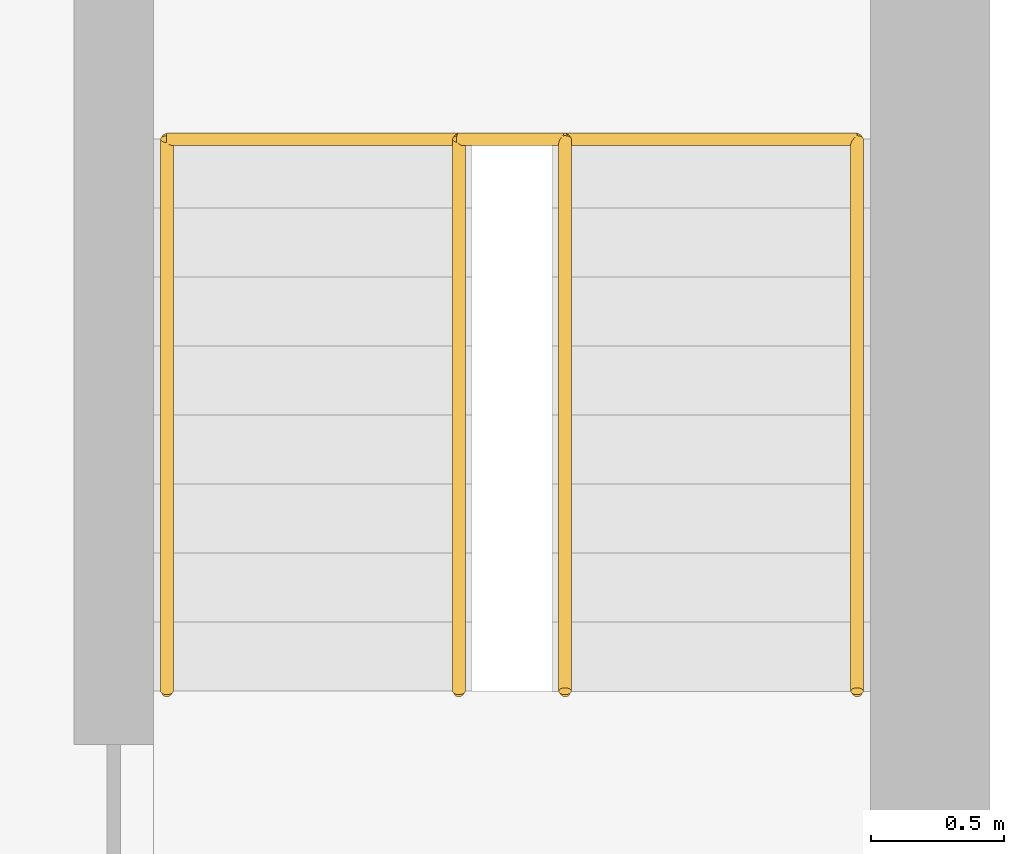
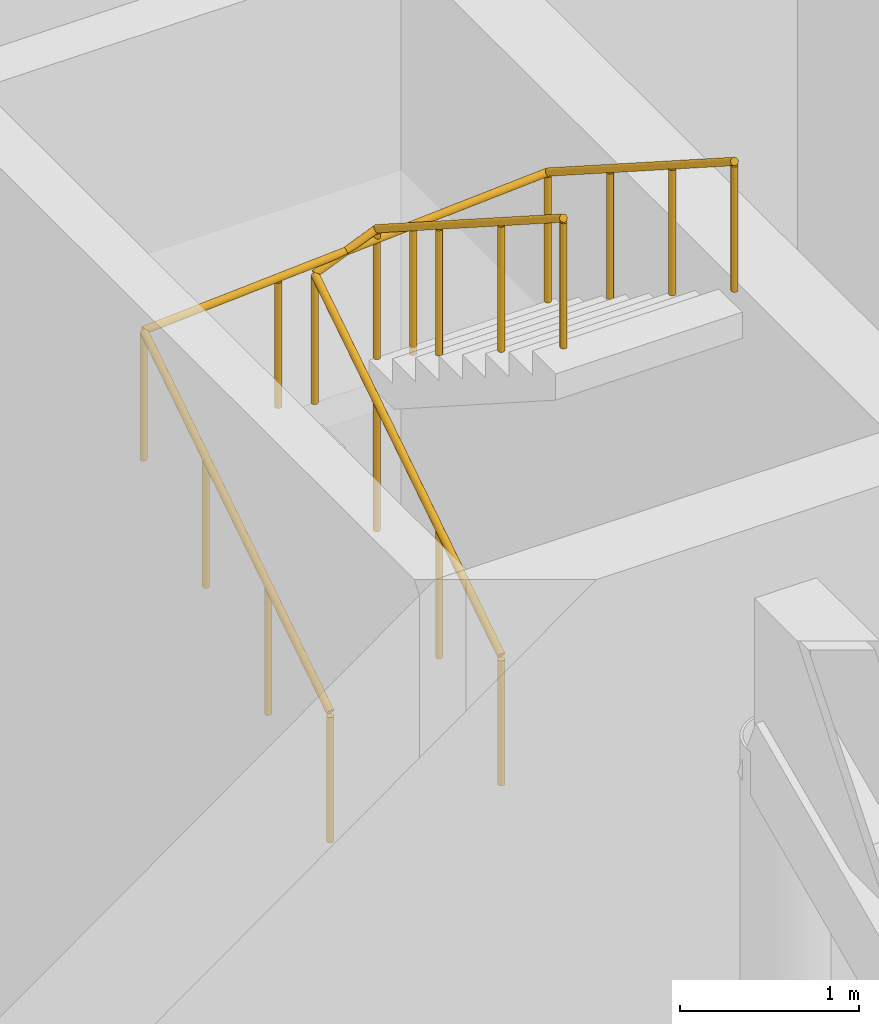
# One storey, part 19 of 20: 2 railings.
"""IFC4 building model written with IfcOpenShell, lengths in metres."""

from ifc_helpers import new_model, si_unit, direction, frame, origin, origin_2d, place, context, subcontext, project, spatial, circle, extrude, material, type_object, element, save


model = new_model("IFC4")

# Units and contexts
model_context = context("Model", 3, precision=1e-05, world=origin(), true_north=direction((0.0, 1.0)))
body_context = subcontext(model_context, "Body", "Model", "MODEL_VIEW")
ifc_project = project(units=[si_unit("LENGTHUNIT", "METRE"), si_unit("AREAUNIT", "SQUARE_METRE"), si_unit("VOLUMEUNIT", "CUBIC_METRE"), si_unit("PLANEANGLEUNIT", "RADIAN"), si_unit("MASSUNIT", "GRAM", prefix="KILO")], contexts=[model_context])

# Site, building, storey
site_placement = place(None, origin())
site = spatial("IfcSite", under=ifc_project, at=site_placement, CompositionType="ELEMENT")
building_placement = place(site_placement, origin())
building = spatial("IfcBuilding", under=site, at=building_placement, Name="Torana Hotel and Residences", CompositionType="ELEMENT")
storey_placement = place(building_placement, frame((0.0, 0.0, 177.60009765625)))
storey = spatial("IfcBuildingStorey", under=building, at=storey_placement, Name="L46", CompositionType="ELEMENT", Elevation=177.60009765625)

# Railings
ifc_material = material(Name="Stainless steel 316", Category="steel")
railing_type = type_object("IfcRailingType", Name="STAIR HANDRAIL HR1 900", PredefinedType="HANDRAIL", material=ifc_material)
railing_1_placement = place(storey_placement, frame((16.39990234375, -12.949951171875, 3.16650390625)))
element("IfcRailing", 1, at=railing_1_placement, inside=storey, type_object=railing_type, Name="Handrail ST4 L46 O2", PredefinedType="HANDRAIL", context=body_context, shape_type="SweptSolid", body=[
    extrude(circle(Radius=0.02392578125, at=origin_2d()), frame((0.0, 0.0, 0.8759765625), z_axis=(0.0, 0.841829634381, 0.539743334075), x_axis=(-1.0, 0.0, 0.0)), (0.0, 0.0, 1.0), 2.470703125),
    extrude(circle(Radius=0.02392578125, at=origin_2d()), frame((0.0, 2.079833984375, 2.20947265625), z_axis=(0.997955880303, 0.0, 0.06390665825), x_axis=(0.0, 1.0, 0.0)), (0.0, 0.0, 1.0), 2.60546875),
    extrude(circle(Radius=0.02392578125, at=origin_2d()), frame((2.60009765625, 2.079833984375, 2.3759765625), z_axis=(0.0, -0.841829634381, 0.539743334075), x_axis=(1.0, 0.0, 0.0)), (0.0, 0.0, 1.0), 2.470703125),
    extrude(circle(Radius=0.02099609375, at=origin_2d()), origin(), (0.0, 0.0, 1.0), 0.851806640625),
    extrude(circle(Radius=0.02099609375, at=origin_2d()), frame((0.0, 0.693359375, 0.444580078125)), (0.0, 0.0, 1.0), 0.851806640625),
    extrude(circle(Radius=0.02099609375, at=origin_2d()), frame((0.0, 1.386474609375, 0.888916015625)), (0.0, 0.0, 1.0), 0.851806640625),
    extrude(circle(Radius=0.02099609375, at=origin_2d()), frame((0.0, 2.079833984375, 1.33349609375)), (0.0, 0.0, 1.0), 0.851806640625),
    extrude(circle(Radius=0.02099609375, at=origin_2d()), frame((0.86669921875, 2.079833984375, 1.388916015625)), (0.0, 0.0, 1.0), 0.851806640625),
    extrude(circle(Radius=0.02099609375, at=origin_2d()), frame((1.7333984375, 2.079833984375, 1.444580078125)), (0.0, 0.0, 1.0), 0.851806640625),
    extrude(circle(Radius=0.02099609375, at=origin_2d()), frame((2.60009765625, 2.079833984375, 1.5)), (0.0, 0.0, 1.0), 0.851806640625),
    extrude(circle(Radius=0.02099609375, at=origin_2d()), frame((2.60009765625, 1.386474609375, 1.944580078125)), (0.0, 0.0, 1.0), 0.851806640625),
    extrude(circle(Radius=0.02099609375, at=origin_2d()), frame((2.60009765625, 0.693359375, 2.388916015625)), (0.0, 0.0, 1.0), 0.851806640625),
    extrude(circle(Radius=0.02099609375, at=origin_2d()), frame((2.60009765625, 0.0, 2.83349609375)), (0.0, 0.0, 1.0), 0.851806640625),
])
railing_2_placement = place(storey_placement, frame((17.5, -12.949951171875, 3.16650390625)))
element("IfcRailing", 2, at=railing_2_placement, inside=storey, type_object=railing_type, Name="Handrail ST4 L46 I2", PredefinedType="HANDRAIL", context=body_context, shape_type="SweptSolid", body=[
    extrude(circle(Radius=0.02392578125, at=origin_2d()), frame((0.0, 0.0, 0.8759765625), z_axis=(0.0, 0.841829634381, 0.539743334075), x_axis=(-1.0, 0.0, 0.0)), (0.0, 0.0, 1.0), 2.470703125),
    extrude(circle(Radius=0.02392578125, at=origin_2d()), frame((0.0, 2.079833984375, 2.20947265625), z_axis=(0.9231769392, 0.0, 0.384375257957), x_axis=(0.0, 1.0, 0.0)), (0.0, 0.0, 1.0), 0.43310546875),
    extrude(circle(Radius=0.02392578125, at=origin_2d()), frame((0.39990234375, 2.079833984375, 2.3759765625), z_axis=(0.0, -0.841829634381, 0.539743334075), x_axis=(1.0, 0.0, 0.0)), (0.0, 0.0, 1.0), 2.470703125),
    extrude(circle(Radius=0.02099609375, at=origin_2d()), origin(), (0.0, 0.0, 1.0), 0.851806640625),
    extrude(circle(Radius=0.02099609375, at=origin_2d()), frame((0.0, 0.693359375, 0.444580078125)), (0.0, 0.0, 1.0), 0.851806640625),
    extrude(circle(Radius=0.02099609375, at=origin_2d()), frame((0.0, 1.386474609375, 0.888916015625)), (0.0, 0.0, 1.0), 0.851806640625),
    extrude(circle(Radius=0.02099609375, at=origin_2d()), frame((0.0, 2.079833984375, 1.33349609375)), (0.0, 0.0, 1.0), 0.851806640625),
    extrude(circle(Radius=0.02099609375, at=origin_2d()), frame((0.39990234375, 2.079833984375, 1.5)), (0.0, 0.0, 1.0), 0.851806640625),
    extrude(circle(Radius=0.02099609375, at=origin_2d()), frame((0.39990234375, 1.386474609375, 1.944580078125)), (0.0, 0.0, 1.0), 0.851806640625),
    extrude(circle(Radius=0.02099609375, at=origin_2d()), frame((0.39990234375, 0.693359375, 2.388916015625)), (0.0, 0.0, 1.0), 0.851806640625),
    extrude(circle(Radius=0.02099609375, at=origin_2d()), frame((0.39990234375, 0.0, 2.83349609375)), (0.0, 0.0, 1.0), 0.851806640625),
])

save(model, "model.ifc")
